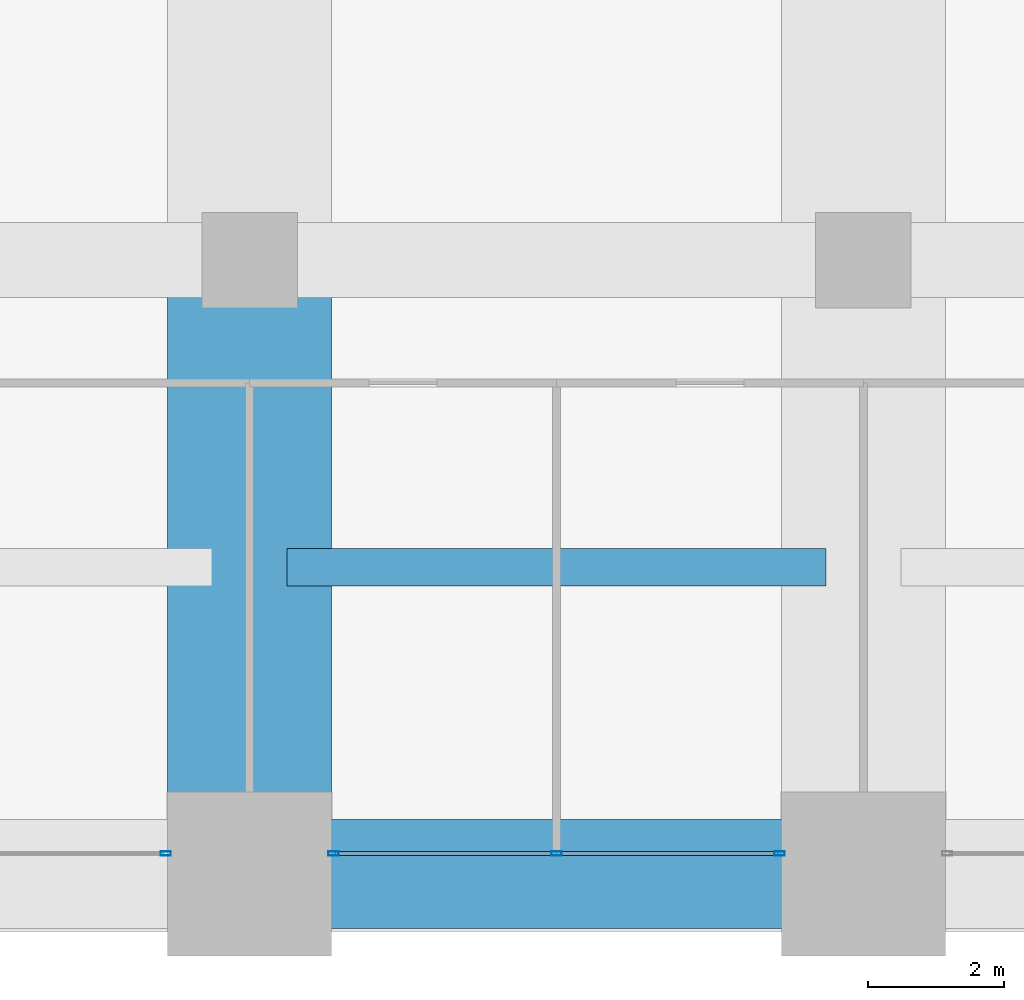
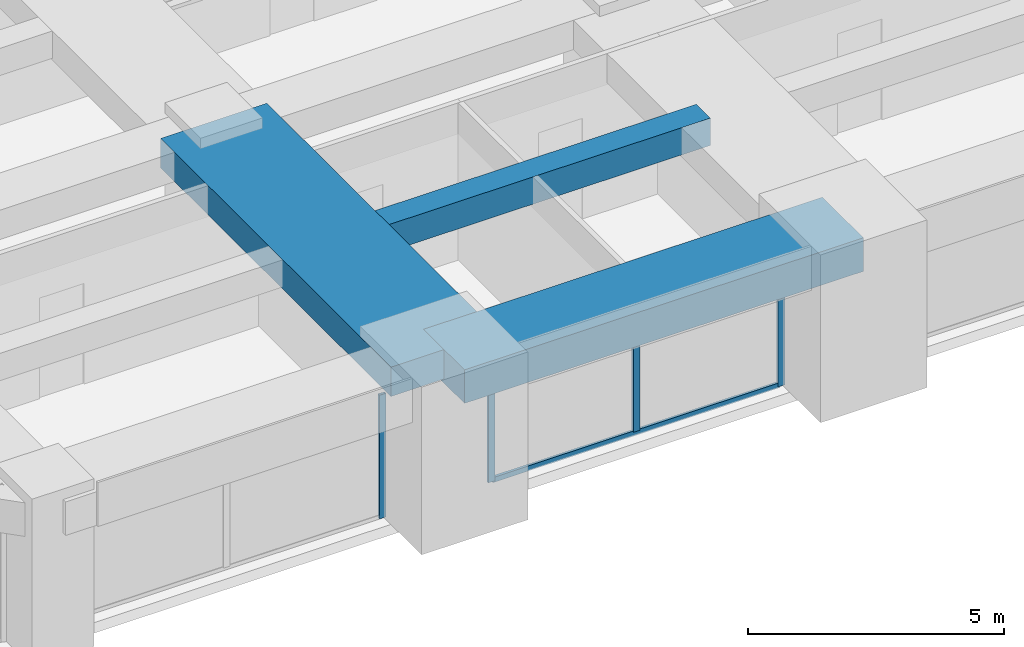
# One storey, part 6 of 35: 5 members, 3 beams, 2 elements without a shape of their own.
"""IFC4 building model written with IfcOpenShell, lengths in metres."""

from ifc_helpers import new_model, si_unit, direction, frame, origin, origin_2d, place, context, subcontext, project, spatial, rectangle, hollow_rectangle, extrude, material, material_profile, profile_set, type_object, element, aggregate, save


model = new_model("IFC4")

# Units and contexts
model_context = context("Model", 3, precision=1e-05, world=origin(), true_north=direction((0.0, 1.0)))
body_context = subcontext(model_context, "Body", "Model", "MODEL_VIEW")
ifc_project = project(units=[si_unit("LENGTHUNIT", "METRE"), si_unit("AREAUNIT", "SQUARE_METRE"), si_unit("VOLUMEUNIT", "CUBIC_METRE"), si_unit("PLANEANGLEUNIT", "RADIAN"), si_unit("MASSUNIT", "GRAM", prefix="KILO")], contexts=[model_context])

# Site, building, storey
site_placement = place(None, origin())
site = spatial("IfcSite", under=ifc_project, at=site_placement, CompositionType="ELEMENT")
building_placement = place(site_placement, origin())
building = spatial("IfcBuilding", under=site, at=building_placement, Name="Zorevar Civic Tower", CompositionType="ELEMENT")
storey_placement = place(building_placement, frame((0.0, 0.0, 218.199951171875)))
storey = spatial("IfcBuildingStorey", under=building, at=storey_placement, Name="L53", CompositionType="ELEMENT", Elevation=218.199951171875)

# Beams
ifc_material_1 = material(Name="Concrete C50/60", Category="concrete")
ifc_material_profile_1 = material_profile(ifc_material_1, rectangle(XDim=2.39990234375, YDim=0.699951171875, at=origin_2d()), Name="RC 2400x700")
ifc_profile_set_1 = profile_set([ifc_material_profile_1], Name="Concrete C50/60")
beam_type_1 = type_object("IfcBeamType", Name="Beam RC 2400x700", PredefinedType="BEAM", material=ifc_profile_set_1)
beam_1_placement = place(storey_placement, frame((18.0, 0.0, 3.400146484375), z_axis=(0.0, 1.0, 0.0), x_axis=(-1.0, 0.0, 0.0)))
element("IfcBeam", 1, at=beam_1_placement, inside=storey, type_object=beam_type_1, Name="Girder L54", PredefinedType="BEAM", context=body_context, shape_type="SweptSolid", body=[
    extrude(rectangle(XDim=2.39990234375, YDim=0.699951171875, at=origin_2d()), origin(), (0.0, 0.0, 1.0), 9.0),
])
ifc_material_2 = material(Name="Concrete C50/60", Category="concrete")
ifc_material_profile_2 = material_profile(ifc_material_2, rectangle(XDim=0.550048828125, YDim=0.64990234375, at=origin_2d()), Name="RC 550x650")
ifc_profile_set_2 = profile_set([ifc_material_profile_2], Name="Concrete C50/60")
beam_type_2 = type_object("IfcBeamType", Name="Beam RC 550x650", PredefinedType="BEAM", material=ifc_profile_set_2)
beam_2_placement = place(storey_placement, frame((18.550048828125, 4.5, 3.425048828125), z_axis=(1.0, 0.0, 0.0), x_axis=(0.0, 1.0, 0.0)))
element("IfcBeam", 2, at=beam_2_placement, inside=storey, type_object=beam_type_2, Name="Secondary beam L54", PredefinedType="BEAM", context=body_context, shape_type="SweptSolid", body=[
    extrude(rectangle(XDim=0.550048828125, YDim=0.64990234375, at=origin_2d()), origin(), (0.0, 0.0, 1.0), 7.89990234375),
])

# Curtain wall, member
ifc_material_3 = material(Name="Dark grey solar-control glass in black aluminium frame", Category="aluminium")
curtain_wall_type = type_object("IfcCurtainWallType", Name="Curtain wall CW4 high zone", PredefinedType="NOTDEFINED", material=ifc_material_3)
curtain_wall_1_placement = place(storey_placement, origin())
curtain_wall_1 = element("IfcCurtainWall", 3, at=curtain_wall_1_placement, inside=storey, type_object=curtain_wall_type, Name="CW4 L53", PredefinedType="NOTDEFINED")
ifc_material_4 = material(Name="Aluminium, black anodised", Category="aluminium")
ifc_material_profile_3 = material_profile(ifc_material_4, hollow_rectangle(XDim=0.06005859375, YDim=0.14990234375, WallThickness=0.00390625, at=origin_2d()), Name="AL 150x60x4")
ifc_profile_set_3 = profile_set([ifc_material_profile_3], Name="Aluminium, black anodised")
member_type_1 = type_object("IfcMemberType", Name="CW4 mullion AL 150x60x4", PredefinedType="MULLION", material=ifc_profile_set_3)
member_1_placement = place(storey_placement, frame((16.77001953125, 0.300048828125, 0.0), z_axis=(0.0, 0.0, 1.0), x_axis=(0.0, 1.0, 0.0)))
member_1 = element("IfcMember", 4, at=member_1_placement, type_object=member_type_1, Name="CW4 mullion 3", PredefinedType="MULLION", context=body_context, shape_type="SweptSolid", body=[
    extrude(hollow_rectangle(XDim=0.06005859375, YDim=0.14990234375, WallThickness=0.00390625, at=origin_2d()), origin(), (0.0, 0.0, 1.0), 2.949951171875),
])
aggregate(curtain_wall_1, [member_1])

# Curtain wall, members
curtain_wall_2_placement = place(storey_placement, origin())
curtain_wall_2 = element("IfcCurtainWall", 5, at=curtain_wall_2_placement, inside=storey, type_object=curtain_wall_type, Name="CW4 L53", PredefinedType="NOTDEFINED")
member_2_placement = place(storey_placement, frame((19.22998046875, 0.300048828125, 0.0), z_axis=(0.0, 0.0, 1.0), x_axis=(0.0, 1.0, 0.0)))
member_2 = element("IfcMember", 6, at=member_2_placement, type_object=member_type_1, Name="CW4 mullion 1", PredefinedType="MULLION", context=body_context, shape_type="SweptSolid", body=[
    extrude(hollow_rectangle(XDim=0.06005859375, YDim=0.14990234375, WallThickness=0.00390625, at=origin_2d()), origin(), (0.0, 0.0, 1.0), 2.949951171875),
])
member_3_placement = place(storey_placement, frame((22.5, 0.300048828125, 0.06005859375), z_axis=(0.0, 0.0, 1.0), x_axis=(0.0, 1.0, 0.0)))
member_3 = element("IfcMember", 7, at=member_3_placement, type_object=member_type_1, Name="CW4 mullion 2", PredefinedType="MULLION", context=body_context, shape_type="SweptSolid", body=[
    extrude(hollow_rectangle(XDim=0.06005859375, YDim=0.14990234375, WallThickness=0.00390625, at=origin_2d()), origin(), (0.0, 0.0, 1.0), 2.889892578125),
])
member_4_placement = place(storey_placement, frame((25.77001953125, 0.300048828125, 0.0), z_axis=(0.0, 0.0, 1.0), x_axis=(0.0, 1.0, 0.0)))
member_4 = element("IfcMember", 8, at=member_4_placement, type_object=member_type_1, Name="CW4 mullion 3", PredefinedType="MULLION", context=body_context, shape_type="SweptSolid", body=[
    extrude(hollow_rectangle(XDim=0.06005859375, YDim=0.14990234375, WallThickness=0.00390625, at=origin_2d()), origin(), (0.0, 0.0, 1.0), 2.949951171875),
])
ifc_material_5 = material(Name="Aluminium, black anodised", Category="aluminium")
ifc_material_profile_4 = material_profile(ifc_material_5, hollow_rectangle(XDim=0.06005859375, YDim=0.1201171875, WallThickness=0.0029296875, at=origin_2d()), Name="AL 120x60x3")
ifc_profile_set_4 = profile_set([ifc_material_profile_4], Name="Aluminium, black anodised")
member_type_2 = type_object("IfcMemberType", Name="CW4 transom AL 120x60x3", PredefinedType="USERDEFINED", material=ifc_profile_set_4)
member_5_placement = place(storey_placement, frame((19.260009765625, 0.300048828125, 0.030029296875), z_axis=(1.0, 0.0, 0.0), x_axis=(0.0, 1.0, 0.0)))
member_5 = element("IfcMember", 9, at=member_5_placement, type_object=member_type_2, Name="CW4 sill transom", ObjectType="TRANSOM", PredefinedType="USERDEFINED", context=body_context, shape_type="SweptSolid", body=[
    extrude(hollow_rectangle(XDim=0.06005859375, YDim=0.1201171875, WallThickness=0.0029296875, at=origin_2d()), origin(), (0.0, 0.0, 1.0), 6.47998046875),
])
aggregate(curtain_wall_2, [member_2, member_3, member_4, member_5])

# Beam
ifc_material_6 = material(Name="Concrete C50/60", Category="concrete")
ifc_material_profile_5 = material_profile(ifc_material_6, rectangle(XDim=1.60009765625, YDim=0.800048828125, at=origin_2d()), Name="RC 1600x800")
ifc_profile_set_5 = profile_set([ifc_material_profile_5], Name="Concrete C50/60")
beam_type_3 = type_object("IfcBeamType", Name="Edge beam RC 1600x800", PredefinedType="SPANDREL", material=ifc_profile_set_5)
beam_3_placement = place(storey_placement, frame((18.0, 0.0, 3.35009765625), z_axis=(1.0, 0.0, 0.0), x_axis=(0.0, 1.0, 0.0)))
element("IfcBeam", 10, at=beam_3_placement, inside=storey, type_object=beam_type_3, Name="Edge beam L54", PredefinedType="SPANDREL", context=body_context, shape_type="SweptSolid", body=[
    extrude(rectangle(XDim=1.60009765625, YDim=0.800048828125, at=origin_2d()), origin(), (0.0, 0.0, 1.0), 9.0),
])

save(model, "model.ifc")
